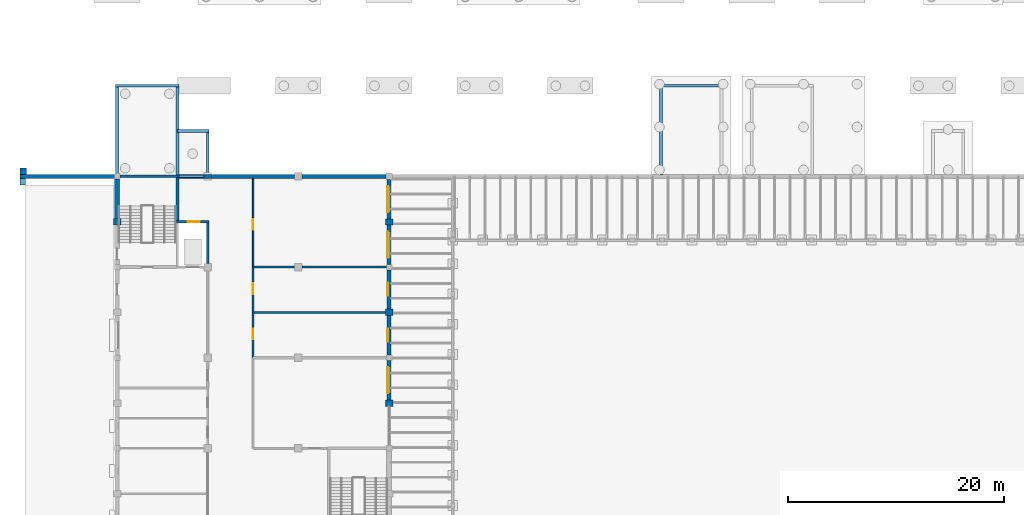
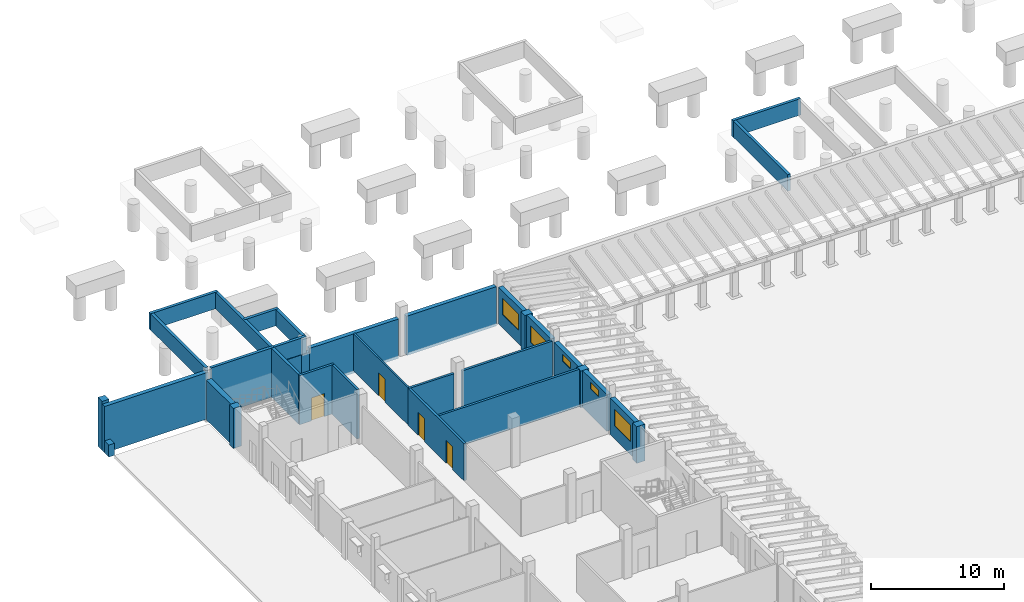
# One storey, part 42 of 60: 34 walls, 5 windows, 4 doors, 9 openings.
"""IFC4 building model written with IfcOpenShell, lengths in metres."""

from ifc_helpers import new_model, si_unit, direction, frame, frame_2d, origin, place, context, subcontext, project, spatial, rectangle, extrude, material, layer, layer_set, type_object, element, fill, save


model = new_model("IFC4")

# Units and contexts
model_context = context("Model", 3, precision=1e-05, world=origin(), true_north=direction((0.0, 1.0)))
body_context = subcontext(model_context, "Body", "Model", "MODEL_VIEW")
ifc_project = project(units=[si_unit("LENGTHUNIT", "METRE"), si_unit("AREAUNIT", "SQUARE_METRE"), si_unit("VOLUMEUNIT", "CUBIC_METRE"), si_unit("PLANEANGLEUNIT", "RADIAN"), si_unit("MASSUNIT", "GRAM", prefix="KILO")], contexts=[model_context])

# Site, building, storey
site_placement = place(None, origin())
site = spatial("IfcSite", under=ifc_project, at=site_placement, CompositionType="ELEMENT")
building_placement = place(site_placement, origin())
building = spatial("IfcBuilding", under=site, at=building_placement, Name="Fescue Hill Polytechnic", CompositionType="ELEMENT")
storey_placement = place(building_placement, frame((0.0, 0.0, 4.5)))
storey = spatial("IfcBuildingStorey", under=building, at=storey_placement, Name="L01", CompositionType="ELEMENT", Elevation=4.5)

# Walls
ifc_material_1 = material(Name="Concrete 40 MPa", Category="concrete")
ifc_layer_1 = layer(ifc_material_1, 0.25)
ifc_layer_set_1 = layer_set([ifc_layer_1], Name="Concrete 40 MPa")
wall_type_1 = type_object("IfcWallType", Name="Core wall 250", PredefinedType="SHEAR", material=ifc_layer_set_1)
wall_1_placement = place(storey_placement, frame((0.25, 109.199951171875, 0.0), z_axis=(0.0, 0.0, 1.0), x_axis=(1.0, 0.0, 0.0)))
element("IfcWall", 1, at=wall_1_placement, inside=storey, type_object=wall_type_1, Name="CW-L01-ST-V4-2-21", PredefinedType="SHEAR", context=body_context, shape_type="SweptSolid", body=[
    extrude(rectangle(XDim=5.47509765625, YDim=0.25, at=frame_2d((2.737548828125, 0.0))), origin(), (0.0, 0.0, 1.0), 4.5),
])
wall_2_placement = place(storey_placement, frame((5.60009765625, 105.010009765625, 0.0), z_axis=(0.0, 0.0, 1.0), x_axis=(0.0, 1.0, 0.0)))
element("IfcWall", 2, at=wall_2_placement, inside=storey, type_object=wall_type_1, Name="CW-L01-ST-V4-2-41", PredefinedType="SHEAR", context=body_context, shape_type="SweptSolid", body=[
    extrude(rectangle(XDim=4.06494140625, YDim=0.25, at=frame_2d((2.032470703125, 0.0))), origin(), (0.0, 0.0, 1.0), 4.5),
])
wall_3_placement = place(storey_placement, frame((-0.125, 117.60009765625, 3.0), z_axis=(0.0, 0.0, 1.0), x_axis=(1.0, 0.0, 0.0)))
element("IfcWall", 3, at=wall_3_placement, inside=storey, type_object=wall_type_1, Name="FW-ST-V5-1-2", PredefinedType="SHEAR", context=body_context, shape_type="SweptSolid", body=[
    extrude(rectangle(XDim=5.85009765625, YDim=0.25, at=frame_2d((2.925048828125, 0.0))), origin(), (0.0, 0.0, 1.0), 1.5),
])
for number, where, z_axis, x_axis, name in (
    (4, (0.0, 109.324951171875, 3.0), (0.0, 0.0, 1.0), (0.0, 1.0, 0.0), "FW-ST-V5-1-3"),
    (5, (5.60009765625, 109.324951171875, 3.0), (0.0, 0.0, 1.0), (0.0, 1.0, 0.0), "FW-ST-V5-1-4"),
):
    element("IfcWall", number, at=place(storey_placement, frame(where, z_axis=z_axis, x_axis=x_axis)), inside=storey, type_object=wall_type_1, Name=name, PredefinedType="SHEAR", context=body_context, shape_type="SweptSolid", body=[
        extrude(rectangle(XDim=8.150146484375, YDim=0.25, at=frame_2d((4.0751953125, 0.0))), origin(), (0.0, 0.0, 1.0), 1.5),
    ])
wall_4_placement = place(storey_placement, frame((50.27490234375, 117.60009765625, 3.0), z_axis=(0.0, 0.0, 1.0), x_axis=(1.0, 0.0, 0.0)))
element("IfcWall", 6, at=wall_4_placement, inside=storey, type_object=wall_type_1, Name="FW-ST-V5-4-2", PredefinedType="SHEAR", context=body_context, shape_type="SweptSolid", body=[
    extrude(rectangle(XDim=5.85009765625, YDim=0.25, at=frame_2d((2.925048828125, 0.0))), origin(), (0.0, 0.0, 1.0), 1.5),
])
wall_5_placement = place(storey_placement, frame((50.39990234375, 109.324951171875, 3.0), z_axis=(0.0, 0.0, 1.0), x_axis=(0.0, 1.0, 0.0)))
element("IfcWall", 7, at=wall_5_placement, inside=storey, type_object=wall_type_1, Name="FW-ST-V5-4-3", PredefinedType="SHEAR", context=body_context, shape_type="SweptSolid", body=[
    extrude(rectangle(XDim=8.150146484375, YDim=0.25, at=frame_2d((4.0751953125, 0.0))), origin(), (0.0, 0.0, 1.0), 1.5),
])
ifc_layer_2 = layer(ifc_material_1, 0.449951171875)
ifc_layer_set_2 = layer_set([ifc_layer_2], Name="Concrete 40 MPa")
wall_type_2 = type_object("IfcWallType", Name="Exterior wall board-marked concrete 450 load-bearing", PredefinedType="SOLIDWALL", material=ifc_layer_set_2)
wall_6_placement = place(storey_placement, frame((0.0, 108.949951171875, 0.0), z_axis=(0.0, 0.0, 1.0), x_axis=(0.0, -1.0, 0.0)))
element("IfcWall", 8, at=wall_6_placement, inside=storey, type_object=wall_type_2, Name="EW-L01-V4-16", PredefinedType="SOLIDWALL", context=body_context, shape_type="SweptSolid", body=[
    extrude(rectangle(XDim=3.64990234375, YDim=0.449951171875, at=frame_2d((1.824951171875, 0.0))), origin(), (0.0, 0.0, 1.0), 3.64990234375),
])

# Wall, opening, window
ifc_material_2 = material(Name="Terracotta rainscreen on concrete block", Category="masonry")
ifc_layer_3 = layer(ifc_material_2, 0.3798828125)
ifc_layer_set_3 = layer_set([ifc_layer_3], Name="Terracotta rainscreen on concrete block")
wall_type_3 = type_object("IfcWallType", Name="Exterior wall rainscreen terracotta on blockwork 380", PredefinedType="SOLIDWALL", material=ifc_layer_set_3)
wall_7_placement = place(storey_placement, frame((25.199951171875, 88.5, 0.0), z_axis=(0.0, 0.0, 1.0), x_axis=(0.0, 1.0, 0.0)))
wall_7 = element("IfcWall", 9, at=wall_7_placement, inside=storey, type_object=wall_type_3, Name="EW-L01-V4-11", PredefinedType="SOLIDWALL", context=body_context, shape_type="SweptSolid", body=[
    extrude(rectangle(XDim=3.64990234375, YDim=0.3798828125, at=frame_2d((1.824951171875, 0.0))), origin(), (0.0, 0.0, 1.0), 3.35009765625),
])
opening_1_placement = place(wall_7_placement, frame((0.625, 0.0, 1.199951171875)))
opening_1 = element("IfcOpeningElement", 10, at=opening_1_placement, cuts=wall_7, Name="Opening W3", PredefinedType="OPENING", context=body_context, shape_type="SweptSolid", body=[
    extrude(rectangle(XDim=2.39990234375, YDim=1.5, at=frame_2d((1.199951171875, 0.75))), frame((0.0, 0.199951171875, 0.0), z_axis=(0.0, -1.0, 0.0), x_axis=(1.0, 0.0, 0.0)), (0.0, 0.0, 1.0), 0.39990234375),
])
ifc_material_3 = material(Name="Powder-coated aluminium and glass", Category="aluminium")
window_type_1 = type_object("IfcWindowType", Name="Window laboratory strip 2400x1500", PartitioningType="TRIPLE_PANEL_VERTICAL", PredefinedType="WINDOW", material=ifc_material_3)
window_1_placement = place(opening_1_placement, origin())
window_1 = element("IfcWindow", 11, at=window_1_placement, inside=storey, type_object=window_type_1, Name="WN-L01-V4-4", OverallHeight=1.5, OverallWidth=2.39990234375, PartitioningType="SINGLE_PANEL", PredefinedType="WINDOW", context=body_context, shape_type="SweptSolid", body=[
    extrude(rectangle(XDim=2.39990234375, YDim=1.5, at=frame_2d((1.199951171875, 0.75))), frame((0.0, 0.150146484375, 0.0), z_axis=(0.0, -1.0, 0.0), x_axis=(1.0, 0.0, 0.0)), (0.0, 0.0, 1.0), 0.06005859375),
])
fill(opening_1, window_1)

wall_8_placement = place(storey_placement, frame((25.199951171875, 92.64990234375, 0.0), z_axis=(0.0, 0.0, 1.0), x_axis=(0.0, 1.0, 0.0)))
wall_8 = element("IfcWall", 12, at=wall_8_placement, inside=storey, type_object=wall_type_3, Name="EW-L01-V4-12", PredefinedType="SOLIDWALL", context=body_context, shape_type="SweptSolid", body=[
    extrude(rectangle(XDim=3.650146484375, YDim=0.3798828125, at=frame_2d((1.8251953125, 0.0))), origin(), (0.0, 0.0, 1.0), 3.35009765625),
])
opening_2_placement = place(wall_8_placement, frame((1.22509765625, 0.0, 2.39990234375)))
opening_2 = element("IfcOpeningElement", 13, at=opening_2_placement, cuts=wall_8, Name="Opening W12", PredefinedType="OPENING", context=body_context, shape_type="SweptSolid", body=[
    extrude(rectangle(XDim=1.199951171875, YDim=0.60009765625, at=frame_2d((0.60009765625, 0.300048828125))), frame((0.0, 0.199951171875, 0.0), z_axis=(0.0, -1.0, 0.0), x_axis=(1.0, 0.0, 0.0)), (0.0, 0.0, 1.0), 0.39990234375),
])
window_type_2 = type_object("IfcWindowType", Name="Window plant and store high-level 1200x600", PartitioningType="SINGLE_PANEL", PredefinedType="WINDOW", material=ifc_material_3)
window_2_placement = place(opening_2_placement, origin())
window_2 = element("IfcWindow", 14, at=window_2_placement, inside=storey, type_object=window_type_2, Name="WN-L01-V4-5", OverallHeight=0.60009765625, OverallWidth=1.199951171875, PartitioningType="SINGLE_PANEL", PredefinedType="WINDOW", context=body_context, shape_type="SweptSolid", body=[
    extrude(rectangle(XDim=1.199951171875, YDim=0.60009765625, at=frame_2d((0.60009765625, 0.300048828125))), frame((0.0, 0.150146484375, 0.0), z_axis=(0.0, -1.0, 0.0), x_axis=(1.0, 0.0, 0.0)), (0.0, 0.0, 1.0), 0.06005859375),
])
fill(opening_2, window_2)

wall_9_placement = place(storey_placement, frame((25.199951171875, 96.89990234375, 0.0), z_axis=(0.0, 0.0, 1.0), x_axis=(0.0, 1.0, 0.0)))
wall_9 = element("IfcWall", 15, at=wall_9_placement, inside=storey, type_object=wall_type_3, Name="EW-L01-V4-13", PredefinedType="SOLIDWALL", context=body_context, shape_type="SweptSolid", body=[
    extrude(rectangle(XDim=3.650146484375, YDim=0.3798828125, at=frame_2d((1.8251953125, 0.0))), origin(), (0.0, 0.0, 1.0), 3.35009765625),
])
opening_3_placement = place(wall_9_placement, frame((1.22509765625, 0.0, 2.39990234375)))
opening_3 = element("IfcOpeningElement", 16, at=opening_3_placement, cuts=wall_9, Name="Opening W12", PredefinedType="OPENING", context=body_context, shape_type="SweptSolid", body=[
    extrude(rectangle(XDim=1.199951171875, YDim=0.60009765625, at=frame_2d((0.60009765625, 0.300048828125))), frame((0.0, 0.199951171875, 0.0), z_axis=(0.0, -1.0, 0.0), x_axis=(1.0, 0.0, 0.0)), (0.0, 0.0, 1.0), 0.39990234375),
])
window_3_placement = place(opening_3_placement, origin())
window_3 = element("IfcWindow", 17, at=window_3_placement, inside=storey, type_object=window_type_2, Name="WN-L01-V4-6", OverallHeight=0.60009765625, OverallWidth=1.199951171875, PartitioningType="SINGLE_PANEL", PredefinedType="WINDOW", context=body_context, shape_type="SweptSolid", body=[
    extrude(rectangle(XDim=1.199951171875, YDim=0.60009765625, at=frame_2d((0.60009765625, 0.300048828125))), frame((0.0, 0.150146484375, 0.0), z_axis=(0.0, -1.0, 0.0), x_axis=(1.0, 0.0, 0.0)), (0.0, 0.0, 1.0), 0.06005859375),
])
fill(opening_3, window_3)

wall_10_placement = place(storey_placement, frame((25.199951171875, 101.050048828125, 0.0), z_axis=(0.0, 0.0, 1.0), x_axis=(0.0, 1.0, 0.0)))
wall_10 = element("IfcWall", 18, at=wall_10_placement, inside=storey, type_object=wall_type_3, Name="EW-L01-V4-14", PredefinedType="SOLIDWALL", context=body_context, shape_type="SweptSolid", body=[
    extrude(rectangle(XDim=3.625, YDim=0.3798828125, at=frame_2d((1.8125, 0.0))), origin(), (0.0, 0.0, 1.0), 3.35009765625),
])
opening_4_placement = place(wall_10_placement, frame((0.612548828125, 0.0, 1.199951171875)))
opening_4 = element("IfcOpeningElement", 19, at=opening_4_placement, cuts=wall_10, Name="Opening W3", PredefinedType="OPENING", context=body_context, shape_type="SweptSolid", body=[
    extrude(rectangle(XDim=2.39990234375, YDim=1.5, at=frame_2d((1.199951171875, 0.75))), frame((0.0, 0.199951171875, 0.0), z_axis=(0.0, -1.0, 0.0), x_axis=(1.0, 0.0, 0.0)), (0.0, 0.0, 1.0), 0.39990234375),
])
window_4_placement = place(opening_4_placement, origin())
window_4 = element("IfcWindow", 20, at=window_4_placement, inside=storey, type_object=window_type_1, Name="WN-L01-V4-7", OverallHeight=1.5, OverallWidth=2.39990234375, PartitioningType="SINGLE_PANEL", PredefinedType="WINDOW", context=body_context, shape_type="SweptSolid", body=[
    extrude(rectangle(XDim=2.39990234375, YDim=1.5, at=frame_2d((1.199951171875, 0.75))), frame((0.0, 0.150146484375, 0.0), z_axis=(0.0, -1.0, 0.0), x_axis=(1.0, 0.0, 0.0)), (0.0, 0.0, 1.0), 0.06005859375),
])
fill(opening_4, window_4)

wall_11_placement = place(storey_placement, frame((25.199951171875, 105.27490234375, 0.0), z_axis=(0.0, 0.0, 1.0), x_axis=(0.0, 1.0, 0.0)))
wall_11 = element("IfcWall", 21, at=wall_11_placement, inside=storey, type_object=wall_type_3, Name="EW-L01-V4-15", PredefinedType="SOLIDWALL", context=body_context, shape_type="SweptSolid", body=[
    extrude(rectangle(XDim=3.625, YDim=0.3798828125, at=frame_2d((1.8125, 0.0))), origin(), (0.0, 0.0, 1.0), 3.35009765625),
])
opening_5_placement = place(wall_11_placement, frame((0.612548828125, 0.0, 1.199951171875)))
opening_5 = element("IfcOpeningElement", 22, at=opening_5_placement, cuts=wall_11, Name="Opening W3", PredefinedType="OPENING", context=body_context, shape_type="SweptSolid", body=[
    extrude(rectangle(XDim=2.39990234375, YDim=1.5, at=frame_2d((1.199951171875, 0.75))), frame((0.0, 0.199951171875, 0.0), z_axis=(0.0, -1.0, 0.0), x_axis=(1.0, 0.0, 0.0)), (0.0, 0.0, 1.0), 0.39990234375),
])
window_5_placement = place(opening_5_placement, origin())
window_5 = element("IfcWindow", 23, at=window_5_placement, inside=storey, type_object=window_type_1, Name="WN-L01-V4-8", OverallHeight=1.5, OverallWidth=2.39990234375, PartitioningType="SINGLE_PANEL", PredefinedType="WINDOW", context=body_context, shape_type="SweptSolid", body=[
    extrude(rectangle(XDim=2.39990234375, YDim=1.5, at=frame_2d((1.199951171875, 0.75))), frame((0.0, 0.150146484375, 0.0), z_axis=(0.0, -1.0, 0.0), x_axis=(1.0, 0.0, 0.0)), (0.0, 0.0, 1.0), 0.06005859375),
])
fill(opening_5, window_5)

# Walls
ifc_layer_4 = layer(ifc_material_1, 0.699951171875)
ifc_layer_set_4 = layer_set([ifc_layer_4], Name="Concrete 40 MPa")
wall_type_4 = type_object("IfcWallType", Name="Fin wall board-marked 600x700", PredefinedType="SOLIDWALL", material=ifc_layer_set_4)
wall_12_placement = place(storey_placement, frame((25.199951171875, 87.89990234375, 0.0), z_axis=(0.0, 0.0, 1.0), x_axis=(0.0, 1.0, 0.0)))
element("IfcWall", 24, at=wall_12_placement, inside=storey, type_object=wall_type_4, Name="PR-L01-V4-4", PredefinedType="SOLIDWALL", context=body_context, shape_type="SweptSolid", body=[
    extrude(rectangle(XDim=0.60009765625, YDim=0.699951171875, at=frame_2d((0.300048828125, 0.0))), origin(), (0.0, 0.0, 1.0), 3.35009765625),
])
for number, where, z_axis, x_axis, name in (
    (25, (25.199951171875, 96.300048828125, 0.0), (0.0, 0.0, 1.0), (0.0, 1.0, 0.0), "PR-L01-V4-5"),
    (26, (25.199951171875, 104.675048828125, 0.0), (0.0, 0.0, 1.0), (0.0, 1.0, 0.0), "PR-L01-V4-6"),
):
    element("IfcWall", number, at=place(storey_placement, frame(where, z_axis=z_axis, x_axis=x_axis)), inside=storey, type_object=wall_type_4, Name=name, PredefinedType="SOLIDWALL", context=body_context, shape_type="SweptSolid", body=[
        extrude(rectangle(XDim=0.599853515625, YDim=0.699951171875, at=frame_2d((0.2998046875, 0.0))), origin(), (0.0, 0.0, 1.0), 3.35009765625),
    ])
wall_13_placement = place(storey_placement, frame((0.0, 105.300048828125, 0.0), z_axis=(0.0, 0.0, 1.0), x_axis=(0.0, -1.0, 0.0)))
element("IfcWall", 27, at=wall_13_placement, inside=storey, type_object=wall_type_4, Name="PR-L01-V4-7", PredefinedType="SOLIDWALL", context=body_context, shape_type="SweptSolid", body=[
    extrude(rectangle(XDim=0.60009765625, YDim=0.699951171875, at=frame_2d((0.300048828125, 0.0))), origin(), (0.0, 0.0, 1.0), 3.64990234375),
])

# Wall, opening, door
ifc_material_4 = material(Name="Concrete masonry block 15 MPa", Category="masonry")
ifc_layer_5 = layer(ifc_material_4, 0.14990234375)
ifc_layer_set_5 = layer_set([ifc_layer_5], Name="Concrete masonry block 15 MPa")
wall_type_5 = type_object("IfcWallType", Name="Laboratory wall 150 block EI 60", PredefinedType="PARTITIONING", material=ifc_layer_set_5)
wall_14_placement = place(storey_placement, frame((12.60009765625, 100.800048828125, 0.0), z_axis=(0.0, 0.0, 1.0), x_axis=(0.0, 1.0, 0.0)))
wall_14 = element("IfcWall", 28, at=wall_14_placement, inside=storey, type_object=wall_type_5, Name="IW-L01-073", PredefinedType="PARTITIONING", context=body_context, shape_type="SweptSolid", body=[
    extrude(rectangle(XDim=8.224853515625, YDim=0.14990234375, at=frame_2d((4.1123046875, 0.0))), origin(), (0.0, 0.0, 1.0), 3.39990234375),
])
opening_6_placement = place(wall_14_placement, frame((3.449951171875, 0.0, 0.0)))
opening_6 = element("IfcOpeningElement", 29, at=opening_6_placement, cuts=wall_14, Name="Opening D1069", PredefinedType="OPENING", context=body_context, shape_type="SweptSolid", body=[
    extrude(rectangle(XDim=1.0, YDim=2.10009765625, at=frame_2d((0.5, 1.050048828125))), frame((0.0, 0.0849609375, 0.0), z_axis=(0.0, -1.0, 0.0), x_axis=(1.0, 0.0, 0.0)), (0.0, 0.0, 1.0), 0.169921875),
])
ifc_material_5 = material(Name="Steel", Category="steel")
door_type_1 = type_object("IfcDoorType", Name="Door single swing 1000x2100 FD60", OperationType="SINGLE_SWING_LEFT", PredefinedType="DOOR", material=ifc_material_5)
door_1_placement = place(opening_6_placement, origin())
door_1 = element("IfcDoor", 30, at=door_1_placement, inside=storey, type_object=door_type_1, Name="Door D1069", OperationType="SINGLE_SWING_LEFT", OverallHeight=2.10009765625, OverallWidth=1.0, PredefinedType="DOOR", context=body_context, shape_type="SweptSolid", body=[
    extrude(rectangle(XDim=1.0, YDim=2.10009765625, at=frame_2d((0.5, 1.050048828125))), frame((0.0, 0.02490234375, 0.0), z_axis=(0.0, -1.0, 0.0), x_axis=(1.0, 0.0, 0.0)), (0.0, 0.0, 1.0), 0.050048828125),
])
fill(opening_6, door_1)

# Walls
ifc_layer_6 = layer(ifc_material_1, 0.25)
ifc_layer_set_6 = layer_set([ifc_layer_6], Name="Concrete 40 MPa")
wall_type_6 = type_object("IfcWallType", Name="Lift pit wall 250", PredefinedType="SHEAR", material=ifc_layer_set_6)
wall_15_placement = place(storey_placement, frame((5.72509765625, 109.199951171875, 3.0), z_axis=(0.0, 0.0, 1.0), x_axis=(1.0, 0.0, 0.0)))
element("IfcWall", 31, at=wall_15_placement, inside=storey, type_object=wall_type_6, Name="PW-L02-LF-V5-1-1", PredefinedType="SHEAR", context=body_context, shape_type="SweptSolid", body=[
    extrude(rectangle(XDim=2.7998046875, YDim=0.25, at=frame_2d((1.39990234375, 0.0))), origin(), (0.0, 0.0, 1.0), 1.5),
])
wall_16_placement = place(storey_placement, frame((5.610107421875, 113.39990234375, 3.0), z_axis=(0.0, 0.0, 1.0), x_axis=(1.0, 0.0, 0.0)))
element("IfcWall", 32, at=wall_16_placement, inside=storey, type_object=wall_type_6, Name="PW-L02-LF-V5-1-2", PredefinedType="SHEAR", context=body_context, shape_type="SweptSolid", body=[
    extrude(rectangle(XDim=2.914794921875, YDim=0.25, at=frame_2d((1.45751953125, 0.0))), origin(), (0.0, 0.0, 1.0), 1.5),
])
wall_17_placement = place(storey_placement, frame((8.39990234375, 109.324951171875, 3.0), z_axis=(0.0, 0.0, 1.0), x_axis=(0.0, 1.0, 0.0)))
element("IfcWall", 33, at=wall_17_placement, inside=storey, type_object=wall_type_6, Name="PW-L02-LF-V5-1-4", PredefinedType="SHEAR", context=body_context, shape_type="SweptSolid", body=[
    extrude(rectangle(XDim=3.949951171875, YDim=0.25, at=frame_2d((1.97509765625, 0.0))), origin(), (0.0, 0.0, 1.0), 1.5),
])

# Wall, opening, door
ifc_layer_7 = layer(ifc_material_1, 0.199951171875)
ifc_layer_set_7 = layer_set([ifc_layer_7], Name="Concrete 40 MPa")
wall_type_7 = type_object("IfcWallType", Name="Lift shaft wall 200", PredefinedType="SHEAR", material=ifc_layer_set_7)
wall_18_placement = place(storey_placement, frame((5.5, 105.0, 0.0), z_axis=(0.0, 0.0, 1.0), x_axis=(1.0, 0.0, 0.0)))
wall_18 = element("IfcWall", 34, at=wall_18_placement, inside=storey, type_object=wall_type_7, Name="CW-L01-LF-V4-2-21", PredefinedType="SHEAR", context=body_context, shape_type="SweptSolid", body=[
    extrude(rectangle(XDim=3.0, YDim=0.199951171875, at=frame_2d((1.5, 0.0))), origin(), (0.0, 0.0, 1.0), 4.5),
])
opening_7_placement = place(wall_18_placement, frame((1.050048828125, 0.0, 0.0)))
opening_7 = element("IfcOpeningElement", 35, at=opening_7_placement, cuts=wall_18, Name="Opening LD5-L01N", PredefinedType="OPENING", context=body_context, shape_type="SweptSolid", body=[
    extrude(rectangle(XDim=1.10009765625, YDim=2.10009765625, at=frame_2d((0.550048828125, 1.050048828125))), frame((0.0, 0.10986328125, 0.0), z_axis=(0.0, -1.0, 0.0), x_axis=(1.0, 0.0, 0.0)), (0.0, 0.0, 1.0), 0.219970703125),
])
ifc_material_6 = material(Name="Stainless steel", Category="steel")
door_type_2 = type_object("IfcDoorType", Name="Lift landing door sliding 1100x2100", OperationType="SLIDING_TO_LEFT", PredefinedType="DOOR", material=ifc_material_6)
door_2_placement = place(opening_7_placement, origin())
door_2 = element("IfcDoor", 36, at=door_2_placement, inside=storey, type_object=door_type_2, Name="L01 LF-V4-2 lift landing door", OperationType="SLIDING_TO_RIGHT", OverallHeight=2.10009765625, OverallWidth=1.10009765625, PredefinedType="DOOR", context=body_context, shape_type="SweptSolid", body=[
    extrude(rectangle(XDim=1.10009765625, YDim=2.10009765625, at=frame_2d((0.550048828125, 1.050048828125))), frame((0.0, 0.02490234375, 0.0), z_axis=(0.0, -1.0, 0.0), x_axis=(1.0, 0.0, 0.0)), (0.0, 0.0, 1.0), 0.050048828125),
])
fill(opening_7, door_2)

# Walls
wall_19_placement = place(storey_placement, frame((8.39990234375, 101.14990234375, 0.0), z_axis=(0.0, 0.0, 1.0), x_axis=(0.0, 1.0, 0.0)))
element("IfcWall", 37, at=wall_19_placement, inside=storey, type_object=wall_type_7, Name="CW-L01-LF-V4-2-41", PredefinedType="SHEAR", context=body_context, shape_type="SweptSolid", body=[
    extrude(rectangle(XDim=3.75, YDim=0.199951171875, at=frame_2d((1.875, 0.0))), origin(), (0.0, 0.0, 1.0), 4.5),
])
ifc_layer_8 = layer(ifc_material_4, 0.199951171875)
ifc_layer_set_8 = layer_set([ifc_layer_8], Name="Concrete masonry block 15 MPa")
wall_type_8 = type_object("IfcWallType", Name="Plant room wall 200 block EI 60", PredefinedType="PARTITIONING", material=ifc_layer_set_8)
wall_20_placement = place(storey_placement, frame((12.60009765625, 96.60009765625, 0.0), z_axis=(0.0, 0.0, 1.0), x_axis=(1.0, 0.0, 0.0)))
element("IfcWall", 38, at=wall_20_placement, inside=storey, type_object=wall_type_8, Name="IW-L01-059", PredefinedType="PARTITIONING", context=body_context, shape_type="SweptSolid", body=[
    extrude(rectangle(XDim=12.25, YDim=0.199951171875, at=frame_2d((6.125, 0.0))), origin(), (0.0, 0.0, 1.0), 3.39990234375),
])
wall_21_placement = place(storey_placement, frame((12.60009765625, 100.800048828125, 0.0), z_axis=(0.0, 0.0, 1.0), x_axis=(1.0, 0.0, 0.0)))
element("IfcWall", 39, at=wall_21_placement, inside=storey, type_object=wall_type_8, Name="IW-L01-061", PredefinedType="PARTITIONING", context=body_context, shape_type="SweptSolid", body=[
    extrude(rectangle(XDim=3.849853515625, YDim=0.199951171875, at=frame_2d((1.9248046875, 0.0))), origin(), (0.0, 0.0, 1.0), 3.39990234375),
])
wall_22_placement = place(storey_placement, frame((17.14990234375, 100.800048828125, 0.0), z_axis=(0.0, 0.0, 1.0), x_axis=(1.0, 0.0, 0.0)))
element("IfcWall", 40, at=wall_22_placement, inside=storey, type_object=wall_type_8, Name="IW-L01-062", PredefinedType="PARTITIONING", context=body_context, shape_type="SweptSolid", body=[
    extrude(rectangle(XDim=7.800048828125, YDim=0.199951171875, at=frame_2d((3.89990234375, 0.0))), origin(), (0.0, 0.0, 1.0), 3.39990234375),
])

# Wall, openings, doors
wall_23_placement = place(storey_placement, frame((12.60009765625, 92.39990234375, 0.0), z_axis=(0.0, 0.0, 1.0), x_axis=(0.0, 1.0, 0.0)))
wall_23 = element("IfcWall", 41, at=wall_23_placement, inside=storey, type_object=wall_type_8, Name="IW-L01-074", PredefinedType="PARTITIONING", context=body_context, shape_type="SweptSolid", body=[
    extrude(rectangle(XDim=8.400146484375, YDim=0.199951171875, at=frame_2d((4.2001953125, 0.0))), origin(), (0.0, 0.0, 1.0), 3.39990234375),
])
opening_8_placement = place(wall_23_placement, frame((1.699951171875, 0.0, 0.0)))
opening_8 = element("IfcOpeningElement", 42, at=opening_8_placement, cuts=wall_23, Name="Opening D1067", PredefinedType="OPENING", context=body_context, shape_type="SweptSolid", body=[
    extrude(rectangle(XDim=1.0, YDim=2.10009765625, at=frame_2d((0.5, 1.050048828125))), frame((0.0, 0.10986328125, 0.0), z_axis=(0.0, -1.0, 0.0), x_axis=(1.0, 0.0, 0.0)), (0.0, 0.0, 1.0), 0.219970703125),
])
opening_9_placement = place(wall_23_placement, frame((5.89990234375, 0.0, 0.0)))
opening_9 = element("IfcOpeningElement", 43, at=opening_9_placement, cuts=wall_23, Name="Opening D1068", PredefinedType="OPENING", context=body_context, shape_type="SweptSolid", body=[
    extrude(rectangle(XDim=1.0, YDim=2.10009765625, at=frame_2d((0.5, 1.050048828125))), frame((0.0, 0.10986328125, 0.0), z_axis=(0.0, -1.0, 0.0), x_axis=(1.0, 0.0, 0.0)), (0.0, 0.0, 1.0), 0.219970703125),
])
door_3_placement = place(opening_8_placement, origin())
door_3 = element("IfcDoor", 44, at=door_3_placement, inside=storey, type_object=door_type_1, Name="Door D1067", OperationType="SINGLE_SWING_LEFT", OverallHeight=2.10009765625, OverallWidth=1.0, PredefinedType="DOOR", context=body_context, shape_type="SweptSolid", body=[
    extrude(rectangle(XDim=1.0, YDim=2.10009765625, at=frame_2d((0.5, 1.050048828125))), frame((0.0, 0.02490234375, 0.0), z_axis=(0.0, -1.0, 0.0), x_axis=(1.0, 0.0, 0.0)), (0.0, 0.0, 1.0), 0.050048828125),
])
fill(opening_8, door_3)
door_4_placement = place(opening_9_placement, origin())
door_4 = element("IfcDoor", 45, at=door_4_placement, inside=storey, type_object=door_type_1, Name="Door D1068", OperationType="SINGLE_SWING_RIGHT", OverallHeight=2.10009765625, OverallWidth=1.0, PredefinedType="DOOR", context=body_context, shape_type="SweptSolid", body=[
    extrude(rectangle(XDim=1.0, YDim=2.10009765625, at=frame_2d((0.5, 1.050048828125))), frame((0.0, 0.02490234375, 0.0), z_axis=(0.0, -1.0, 0.0), x_axis=(1.0, 0.0, 0.0)), (0.0, 0.0, 1.0), 0.050048828125),
])
fill(opening_9, door_4)

# Walls
ifc_material_7 = material(Name="Concrete 35 MPa", Category="concrete")
ifc_layer_9 = layer(ifc_material_7, 0.35009765625)
ifc_layer_set_9 = layer_set([ifc_layer_9], Name="Concrete 35 MPa")
wall_type_9 = type_object("IfcWallType", Name="Retaining wall 350", PredefinedType="SOLIDWALL", material=ifc_layer_set_9)
wall_24_placement = place(storey_placement, frame((24.89990234375, 109.199951171875, -0.25), z_axis=(0.0, 0.0, 1.0), x_axis=(-1.0, 0.0, 0.0)))
element("IfcWall", 46, at=wall_24_placement, inside=storey, type_object=wall_type_9, Name="RE-L01-V4-18", PredefinedType="SOLIDWALL", context=body_context, shape_type="SweptSolid", body=[
    extrude(rectangle(XDim=7.75, YDim=0.35009765625, at=frame_2d((3.875, 0.0))), origin(), (0.0, 0.0, 1.0), 3.60009765625),
])
wall_25_placement = place(storey_placement, frame((16.449951171875, 109.199951171875, -0.25), z_axis=(0.0, 0.0, 1.0), x_axis=(-1.0, 0.0, 0.0)))
element("IfcWall", 47, at=wall_25_placement, inside=storey, type_object=wall_type_9, Name="RE-L01-V4-19", PredefinedType="SOLIDWALL", context=body_context, shape_type="SweptSolid", body=[
    extrude(rectangle(XDim=7.699951171875, YDim=0.35009765625, at=frame_2d((3.85009765625, 0.0))), origin(), (0.0, 0.0, 1.0), 3.60009765625),
])
wall_26_placement = place(storey_placement, frame((8.75, 109.199951171875, -0.25), z_axis=(0.0, 0.0, 1.0), x_axis=(-1.0, 0.0, 0.0)))
element("IfcWall", 48, at=wall_26_placement, inside=storey, type_object=wall_type_9, Name="RE-L01-V4-20", PredefinedType="SOLIDWALL", context=body_context, shape_type="SweptSolid", body=[
    extrude(rectangle(XDim=0.699951171875, YDim=0.35009765625, at=frame_2d((0.35009765625, 0.0))), origin(), (0.0, 0.0, 1.0), 3.25),
])
wall_27_placement = place(storey_placement, frame((-8.989990234375, 109.199951171875, 0.0), z_axis=(0.0, 0.0, 1.0), x_axis=(1.0, 0.0, 0.0)))
element("IfcWall", 49, at=wall_27_placement, inside=storey, type_object=wall_type_9, Name="RT-RW6", PredefinedType="SOLIDWALL", context=body_context, shape_type="SweptSolid", body=[
    extrude(rectangle(XDim=8.989990234375, YDim=0.35009765625, at=frame_2d((4.4951171875, 0.0))), origin(), (0.0, 0.0, 1.0), 4.25),
])
wall_28_placement = place(storey_placement, frame((8.050048828125, 109.199951171875, -0.25), z_axis=(0.0, 0.0, 1.0), x_axis=(-1.0, 0.0, 0.0)))
element("IfcWall", 50, at=wall_28_placement, inside=storey, type_object=wall_type_9, Name="RE-L01-V4-21", PredefinedType="SOLIDWALL", context=body_context, shape_type="SweptSolid", body=[
    extrude(rectangle(XDim=2.324951171875, YDim=0.35009765625, at=frame_2d((1.16259765625, 0.0))), origin(), (0.0, 0.0, 1.0), 3.25),
])
ifc_layer_10 = layer(ifc_material_7, 0.5)
ifc_layer_set_10 = layer_set([ifc_layer_10], Name="Concrete 35 MPa")
wall_type_10 = type_object("IfcWallType", Name="Retaining wall 500", PredefinedType="SOLIDWALL", material=ifc_layer_set_10)
wall_29_placement = place(storey_placement, frame((-8.742919921875, 108.39990234375, 0.0), z_axis=(0.0, 0.0, 1.0), x_axis=(0.0, 1.0, 0.0)))
element("IfcWall", 51, at=wall_29_placement, inside=storey, type_object=wall_type_10, Name="RT-PW11", PredefinedType="SOLIDWALL", context=body_context, shape_type="SweptSolid", body=[
    extrude(rectangle(XDim=0.625, YDim=0.5, at=frame_2d((0.3125, 0.0))), origin(), (0.0, 0.0, 1.0), 1.10009765625),
])
ifc_layer_11 = layer(ifc_material_7, 0.60009765625)
ifc_layer_set_11 = layer_set([ifc_layer_11], Name="Concrete 35 MPa")
wall_type_11 = type_object("IfcWallType", Name="Retaining wall 600", PredefinedType="SOLIDWALL", material=ifc_layer_set_11)
wall_30_placement = place(storey_placement, frame((-8.693115234375, 109.375, 0.0), z_axis=(0.0, 0.0, 1.0), x_axis=(0.0, 1.0, 0.0)))
element("IfcWall", 52, at=wall_30_placement, inside=storey, type_object=wall_type_11, Name="RT-PW13", PredefinedType="SOLIDWALL", context=body_context, shape_type="SweptSolid", body=[
    extrude(rectangle(XDim=0.625, YDim=0.60009765625, at=frame_2d((0.3125, 0.0))), origin(), (0.0, 0.0, 1.0), 4.5),
])

save(model, "model.ifc")
